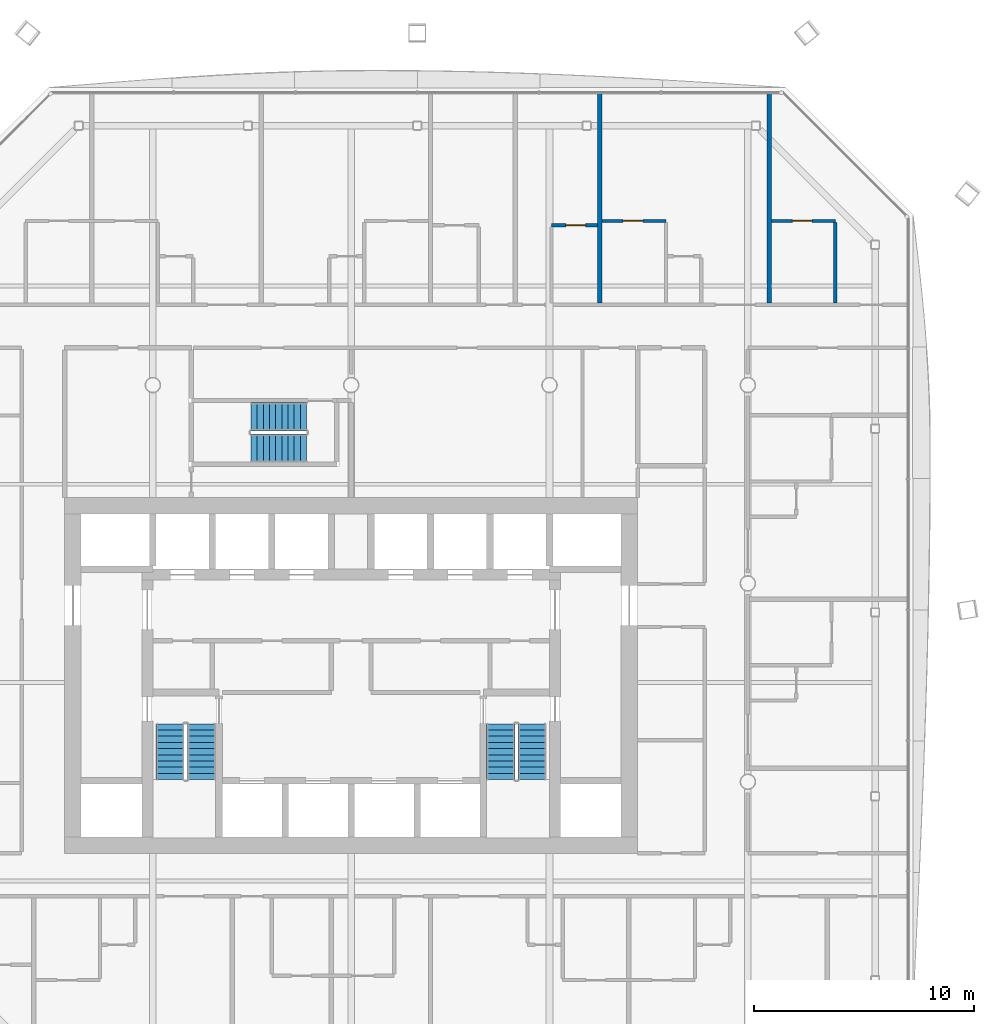
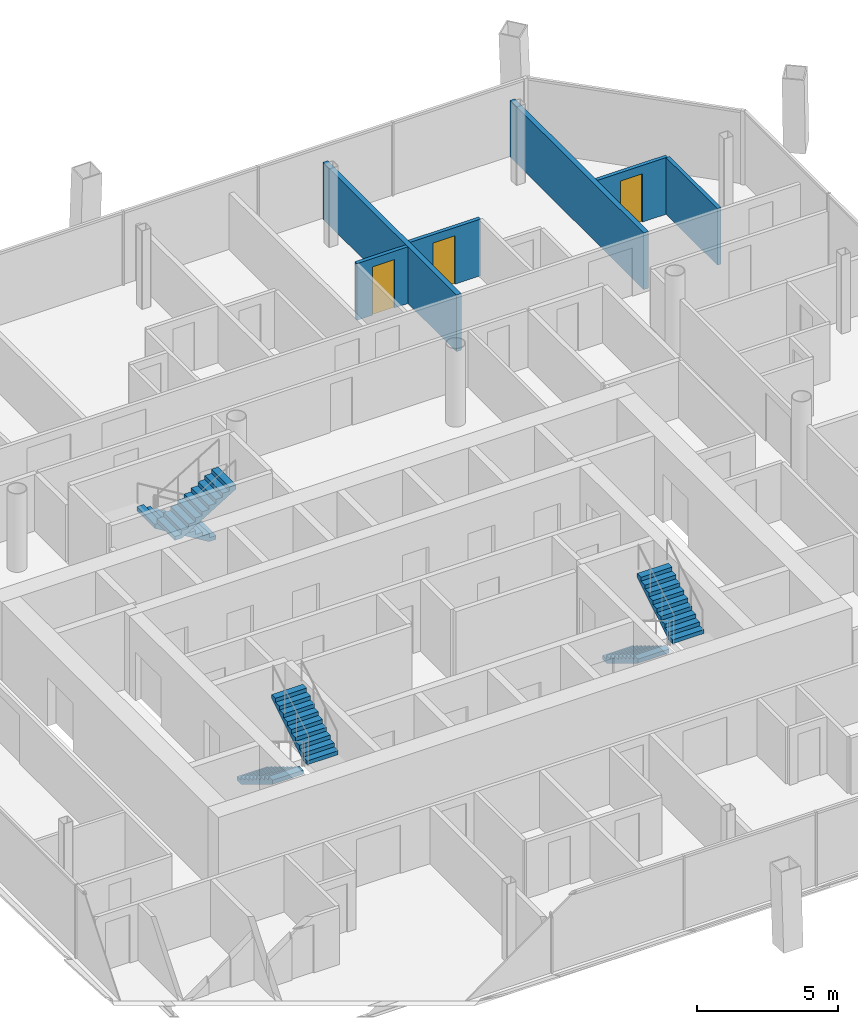
# One storey, part 17 of 21: 6 stair flights, 6 walls, 3 doors, 3 openings, 3 elements without a shape of their own.
"""IFC4 building model written with IfcOpenShell, lengths in metres."""

from ifc_helpers import new_model, si_unit, direction, frame, frame_2d, origin, place, context, subcontext, project, spatial, polyline, rectangle, outline, extrude, material, layer, layer_set, type_object, element, fill, aggregate, save


model = new_model("IFC4")

# Units and contexts
model_context = context("Model", 3, precision=1e-05, world=origin(), true_north=direction((0.0, 1.0)))
body_context = subcontext(model_context, "Body", "Model", "MODEL_VIEW")
ifc_project = project(units=[si_unit("LENGTHUNIT", "METRE"), si_unit("AREAUNIT", "SQUARE_METRE"), si_unit("VOLUMEUNIT", "CUBIC_METRE"), si_unit("PLANEANGLEUNIT", "RADIAN"), si_unit("MASSUNIT", "GRAM", prefix="KILO")], contexts=[model_context])

# Site, building, storey
site_placement = place(None, origin())
site = spatial("IfcSite", under=ifc_project, at=site_placement, CompositionType="ELEMENT")
building_placement = place(site_placement, origin())
building = spatial("IfcBuilding", under=site, at=building_placement, Name="Tskaro Facet Tower", CompositionType="ELEMENT")
storey_placement = place(building_placement, frame((0.0, 0.0, 148.699951171875)))
storey = spatial("IfcBuildingStorey", under=building, at=storey_placement, Name="L36", CompositionType="ELEMENT", Elevation=148.699951171875)

# Wall, opening, door
ifc_material_1 = material(Name="Gypsum board on steel studs", Category="steel")
ifc_layer_1 = layer(ifc_material_1, 0.14990234375, Name="Gypsum board on steel studs")
ifc_layer_set_1 = layer_set([ifc_layer_1], Name="Gypsum board on steel studs")
wall_type_1 = type_object("IfcWallType", Name="PART-CORR", PredefinedType="PARTITIONING", material=ifc_layer_set_1)
wall_1_placement = place(storey_placement, frame((11.18408203125, 16.25, 0.0), z_axis=(0.0, 0.0, 1.0), x_axis=(-1.0, 0.0, 0.0)))
wall_1 = element("IfcWall", 1, at=wall_1_placement, inside=storey, type_object=wall_type_1, Name="Corridor wall W049", PredefinedType="PARTITIONING", context=body_context, shape_type="SweptSolid", body=[
    extrude(rectangle(XDim=2.090087890625, YDim=0.14990234375, at=frame_2d((1.044921875, 0.0))), origin(), (0.0, 0.0, 1.0), 2.4599609375),
])
opening_1_placement = place(wall_1_placement, frame((0.544921875, 0.0, 0.0)))
opening_1 = element("IfcOpeningElement", 2, at=opening_1_placement, cuts=wall_1, Name="Opening T10-D60", PredefinedType="OPENING", context=body_context, shape_type="SweptSolid", body=[
    extrude(rectangle(XDim=0.89990234375, YDim=2.10009765625, at=frame_2d((0.449951171875, 1.050048828125))), frame((0.0, 0.0849609375, 0.0), z_axis=(0.0, -1.0, 0.0), x_axis=(1.0, 0.0, 0.0)), (0.0, 0.0, 1.0), 0.169921875),
])
ifc_material_2 = material(Name="Timber", Category="wood")
door_type = type_object("IfcDoorType", Name="D-ROOM", OperationType="NOTDEFINED", PredefinedType="DOOR", material=ifc_material_2)
door_1_placement = place(opening_1_placement, origin())
door_1 = element("IfcDoor", 3, at=door_1_placement, inside=storey, type_object=door_type, Name="Door T10-D60", OperationType="SINGLE_SWING_RIGHT", OverallHeight=2.10009765625, OverallWidth=0.89990234375, PredefinedType="DOOR", context=body_context, shape_type="SweptSolid", body=[
    extrude(rectangle(XDim=0.89990234375, YDim=2.10009765625, at=frame_2d((0.449951171875, 1.050048828125))), frame((0.0, 0.02490234375, 0.0), z_axis=(0.0, -1.0, 0.0), x_axis=(1.0, 0.0, 0.0)), (0.0, 0.0, 1.0), 0.050048828125),
])
fill(opening_1, door_1)

wall_2_placement = place(storey_placement, frame((14.283935546875, 16.449951171875, 0.0), z_axis=(0.0, 0.0, 1.0), x_axis=(-1.0, 0.0, 0.0)))
wall_2 = element("IfcWall", 4, at=wall_2_placement, inside=storey, type_object=wall_type_1, Name="Corridor wall W052", PredefinedType="PARTITIONING", context=body_context, shape_type="SweptSolid", body=[
    extrude(rectangle(XDim=2.89990234375, YDim=0.14990234375, at=frame_2d((1.449951171875, 0.0))), origin(), (0.0, 0.0, 1.0), 2.4599609375),
])
opening_2_placement = place(wall_2_placement, frame((1.050048828125, 0.0, 0.0)))
opening_2 = element("IfcOpeningElement", 5, at=opening_2_placement, cuts=wall_2, Name="Opening T10-D64", PredefinedType="OPENING", context=body_context, shape_type="SweptSolid", body=[
    extrude(rectangle(XDim=0.89990234375, YDim=2.10009765625, at=frame_2d((0.449951171875, 1.050048828125))), frame((0.0, 0.0849609375, 0.0), z_axis=(0.0, -1.0, 0.0), x_axis=(1.0, 0.0, 0.0)), (0.0, 0.0, 1.0), 0.169921875),
])
door_2_placement = place(opening_2_placement, origin())
door_2 = element("IfcDoor", 6, at=door_2_placement, inside=storey, type_object=door_type, Name="Door T10-D64", OperationType="SINGLE_SWING_RIGHT", OverallHeight=2.10009765625, OverallWidth=0.89990234375, PredefinedType="DOOR", context=body_context, shape_type="SweptSolid", body=[
    extrude(rectangle(XDim=0.89990234375, YDim=2.10009765625, at=frame_2d((0.449951171875, 1.050048828125))), frame((0.0, 0.02490234375, 0.0), z_axis=(0.0, -1.0, 0.0), x_axis=(1.0, 0.0, 0.0)), (0.0, 0.0, 1.0), 0.050048828125),
])
fill(opening_2, door_2)

wall_3_placement = place(storey_placement, frame((21.968017578125, 16.449951171875, 0.0), z_axis=(0.0, 0.0, 1.0), x_axis=(-1.0, 0.0, 0.0)))
wall_3 = element("IfcWall", 7, at=wall_3_placement, inside=storey, type_object=wall_type_1, Name="Corridor wall W053", PredefinedType="PARTITIONING", context=body_context, shape_type="SweptSolid", body=[
    extrude(rectangle(XDim=2.89990234375, YDim=0.14990234375, at=frame_2d((1.449951171875, 0.0))), origin(), (0.0, 0.0, 1.0), 2.4599609375),
])
opening_3_placement = place(wall_3_placement, frame((1.050048828125, 0.0, 0.0)))
opening_3 = element("IfcOpeningElement", 8, at=opening_3_placement, cuts=wall_3, Name="Opening T10-D65", PredefinedType="OPENING", context=body_context, shape_type="SweptSolid", body=[
    extrude(rectangle(XDim=0.89990234375, YDim=2.10009765625, at=frame_2d((0.449951171875, 1.050048828125))), frame((0.0, 0.0849609375, 0.0), z_axis=(0.0, -1.0, 0.0), x_axis=(1.0, 0.0, 0.0)), (0.0, 0.0, 1.0), 0.169921875),
])
door_3_placement = place(opening_3_placement, origin())
door_3 = element("IfcDoor", 9, at=door_3_placement, inside=storey, type_object=door_type, Name="Door T10-D65", OperationType="SINGLE_SWING_RIGHT", OverallHeight=2.10009765625, OverallWidth=0.89990234375, PredefinedType="DOOR", context=body_context, shape_type="SweptSolid", body=[
    extrude(rectangle(XDim=0.89990234375, YDim=2.10009765625, at=frame_2d((0.449951171875, 1.050048828125))), frame((0.0, 0.02490234375, 0.0), z_axis=(0.0, -1.0, 0.0), x_axis=(1.0, 0.0, 0.0)), (0.0, 0.0, 1.0), 0.050048828125),
])
fill(opening_3, door_3)

# Walls
wall_4_placement = place(storey_placement, frame((21.968017578125, 12.72509765625, 0.0), z_axis=(0.0, 0.0, 1.0), x_axis=(0.0, 1.0, 0.0)))
element("IfcWall", 10, at=wall_4_placement, inside=storey, type_object=wall_type_1, Name="Corridor wall W123", PredefinedType="PARTITIONING", context=body_context, shape_type="SweptSolid", body=[
    extrude(rectangle(XDim=3.64990234375, YDim=0.14990234375, at=frame_2d((1.824951171875, 0.0))), origin(), (0.0, 0.0, 1.0), 2.4599609375),
])
ifc_layer_2 = layer(ifc_material_1, 0.199951171875, Name="Gypsum board on steel studs")
ifc_layer_set_2 = layer_set([ifc_layer_2], Name="Gypsum board on steel studs")
wall_type_2 = type_object("IfcWallType", Name="PART-DEMISING", PredefinedType="PARTITIONING", material=ifc_layer_set_2)
for number, where, z_axis, x_axis, name in (
    (11, (11.283935546875, 12.72509765625, 0.0), (0.0, 0.0, 1.0), (0.0, 1.0, 0.0), "Guest room wall W102"),
    (12, (18.968017578125, 12.72509765625, 0.0), (0.0, 0.0, 1.0), (0.0, 1.0, 0.0), "Guest room wall W117"),
):
    element("IfcWall", number, at=place(storey_placement, frame(where, z_axis=z_axis, x_axis=x_axis)), inside=storey, type_object=wall_type_2, Name=name, PredefinedType="PARTITIONING", context=body_context, shape_type="SweptSolid", body=[
        extrude(rectangle(XDim=9.496826171875, YDim=0.199951171875, at=frame_2d((4.74853515625, 0.0))), origin(), (0.0, 0.0, 1.0), 2.4599609375),
    ])

# Stair, stair flights
ifc_material_3 = material(Name="Concrete C40/50", Category="concrete")
stair_type = type_object("IfcStairType", Name="ST-TWR", PredefinedType="HALF_TURN_STAIR", material=ifc_material_3)
stair_1_placement = place(storey_placement, origin())
stair_1 = element("IfcStair", 13, at=stair_1_placement, inside=storey, type_object=stair_type, Name="L36 Exit stair 1", PredefinedType="HALF_TURN_STAIR")
stair_flight_type = type_object("IfcStairFlightType", Name="SFL-RC", PredefinedType="STRAIGHT", material=ifc_material_3)
stair_flight_1_placement = place(storey_placement, frame((-8.21240234375, -6.375, 0.0), z_axis=(0.0, 0.0, 1.0), x_axis=(0.0, -1.0, 0.0)))
stair_flight_1 = element("IfcStairFlight", 14, at=stair_flight_1_placement, type_object=stair_flight_type, Name="ST-1 flight 1", NumberOfRisers=10, NumberOfTreads=9, PredefinedType="STRAIGHT", RiserHeight=0.17, TreadLength=0.28, context=body_context, shape_type="SweptSolid", body=[
    extrude(outline(polyline([(0.0, 0.0), (0.0, 0.169921875), (0.280029296875, 0.169921875), (0.280029296875, 0.340087890625), (0.56005859375, 0.340087890625), (0.56005859375, 0.510009765625), (0.840087890625, 0.510009765625), (0.840087890625, 0.679931640625), (1.1201171875, 0.679931640625), (1.1201171875, 0.85009765625), (1.39990234375, 0.85009765625), (1.39990234375, 1.02001953125), (1.679931640625, 1.02001953125), (1.679931640625, 1.18994140625), (1.9599609375, 1.18994140625), (1.9599609375, 1.360107421875), (2.239990234375, 1.360107421875), (2.239990234375, 1.530029296875), (2.52001953125, 1.530029296875), (2.52001953125, 1.699951171875), (2.52001953125, 1.354736328125), (0.288818359375, 0.0), (0.0, 0.0)])), frame((0.0, 0.637451171875, 0.0), z_axis=(0.0, -1.0, 0.0), x_axis=(1.0, 0.0, 0.0)), (0.0, 0.0, 1.0), 1.27490234375),
])
stair_flight_2_placement = place(storey_placement, frame((-6.78759765625, -8.89501953125, 1.699951171875), z_axis=(0.0, 0.0, 1.0), x_axis=(0.0, 1.0, 0.0)))
stair_flight_2 = element("IfcStairFlight", 15, at=stair_flight_2_placement, type_object=stair_flight_type, Name="ST-1 flight 2", NumberOfRisers=10, NumberOfTreads=9, PredefinedType="STRAIGHT", RiserHeight=0.17, TreadLength=0.28, context=body_context, shape_type="SweptSolid", body=[
    extrude(outline(polyline([(0.0, 0.0), (0.0, 0.169921875), (0.280029296875, 0.169921875), (0.280029296875, 0.340087890625), (0.56005859375, 0.340087890625), (0.56005859375, 0.510009765625), (0.840087890625, 0.510009765625), (0.840087890625, 0.679931640625), (1.1201171875, 0.679931640625), (1.1201171875, 0.85009765625), (1.39990234375, 0.85009765625), (1.39990234375, 1.02001953125), (1.679931640625, 1.02001953125), (1.679931640625, 1.18994140625), (1.9599609375, 1.18994140625), (1.9599609375, 1.360107421875), (2.239990234375, 1.360107421875), (2.239990234375, 1.530029296875), (2.52001953125, 1.530029296875), (2.52001953125, 1.699951171875), (2.52001953125, 1.354736328125), (0.288818359375, 0.0), (0.0, 0.0)])), frame((0.0, 0.637451171875, 0.0), z_axis=(0.0, -1.0, 0.0), x_axis=(1.0, 0.0, 0.0)), (0.0, 0.0, 1.0), 1.27490234375),
])
aggregate(stair_1, [stair_flight_1, stair_flight_2])

stair_2_placement = place(storey_placement, origin())
stair_2 = element("IfcStair", 16, at=stair_2_placement, inside=storey, type_object=stair_type, Name="L36 Exit stair 2", PredefinedType="HALF_TURN_STAIR")
stair_flight_3_placement = place(storey_placement, frame((6.78759765625, -6.375, 0.0), z_axis=(0.0, 0.0, 1.0), x_axis=(0.0, -1.0, 0.0)))
stair_flight_3 = element("IfcStairFlight", 17, at=stair_flight_3_placement, type_object=stair_flight_type, Name="ST-2 flight 1", NumberOfRisers=10, NumberOfTreads=9, PredefinedType="STRAIGHT", RiserHeight=0.17, TreadLength=0.28, context=body_context, shape_type="SweptSolid", body=[
    extrude(outline(polyline([(0.0, 0.0), (0.0, 0.169921875), (0.280029296875, 0.169921875), (0.280029296875, 0.340087890625), (0.56005859375, 0.340087890625), (0.56005859375, 0.510009765625), (0.840087890625, 0.510009765625), (0.840087890625, 0.679931640625), (1.1201171875, 0.679931640625), (1.1201171875, 0.85009765625), (1.39990234375, 0.85009765625), (1.39990234375, 1.02001953125), (1.679931640625, 1.02001953125), (1.679931640625, 1.18994140625), (1.9599609375, 1.18994140625), (1.9599609375, 1.360107421875), (2.239990234375, 1.360107421875), (2.239990234375, 1.530029296875), (2.52001953125, 1.530029296875), (2.52001953125, 1.699951171875), (2.52001953125, 1.354736328125), (0.288818359375, 0.0), (0.0, 0.0)])), frame((0.0, 0.637451171875, 0.0), z_axis=(0.0, -1.0, 0.0), x_axis=(1.0, 0.0, 0.0)), (0.0, 0.0, 1.0), 1.27490234375),
])
stair_flight_4_placement = place(storey_placement, frame((8.21240234375, -8.89501953125, 1.699951171875), z_axis=(0.0, 0.0, 1.0), x_axis=(0.0, 1.0, 0.0)))
stair_flight_4 = element("IfcStairFlight", 18, at=stair_flight_4_placement, type_object=stair_flight_type, Name="ST-2 flight 2", NumberOfRisers=10, NumberOfTreads=9, PredefinedType="STRAIGHT", RiserHeight=0.17, TreadLength=0.28, context=body_context, shape_type="SweptSolid", body=[
    extrude(outline(polyline([(0.0, 0.0), (0.0, 0.169921875), (0.280029296875, 0.169921875), (0.280029296875, 0.340087890625), (0.56005859375, 0.340087890625), (0.56005859375, 0.510009765625), (0.840087890625, 0.510009765625), (0.840087890625, 0.679931640625), (1.1201171875, 0.679931640625), (1.1201171875, 0.85009765625), (1.39990234375, 0.85009765625), (1.39990234375, 1.02001953125), (1.679931640625, 1.02001953125), (1.679931640625, 1.18994140625), (1.9599609375, 1.18994140625), (1.9599609375, 1.360107421875), (2.239990234375, 1.360107421875), (2.239990234375, 1.530029296875), (2.52001953125, 1.530029296875), (2.52001953125, 1.699951171875), (2.52001953125, 1.354736328125), (0.288818359375, 0.0), (0.0, 0.0)])), frame((0.0, 0.637451171875, 0.0), z_axis=(0.0, -1.0, 0.0), x_axis=(1.0, 0.0, 0.0)), (0.0, 0.0, 1.0), 1.27490234375),
])
aggregate(stair_2, [stair_flight_3, stair_flight_4])

stair_3_placement = place(storey_placement, origin())
stair_3 = element("IfcStair", 19, at=stair_3_placement, inside=storey, type_object=stair_type, Name="L36 Exit stair 3", PredefinedType="HALF_TURN_STAIR")
stair_flight_5_placement = place(storey_placement, frame((-2.02490234375, 7.5625, 0.0), z_axis=(0.0, 0.0, 1.0), x_axis=(-1.0, 0.0, 0.0)))
stair_flight_5 = element("IfcStairFlight", 20, at=stair_flight_5_placement, type_object=stair_flight_type, Name="ST-3 flight 1", NumberOfRisers=10, NumberOfTreads=9, PredefinedType="STRAIGHT", RiserHeight=0.17, TreadLength=0.28, context=body_context, shape_type="SweptSolid", body=[
    extrude(outline(polyline([(0.0, 0.0), (0.0, 0.169921875), (0.280029296875, 0.169921875), (0.280029296875, 0.340087890625), (0.56005859375, 0.340087890625), (0.56005859375, 0.510009765625), (0.840087890625, 0.510009765625), (0.840087890625, 0.679931640625), (1.1201171875, 0.679931640625), (1.1201171875, 0.85009765625), (1.39990234375, 0.85009765625), (1.39990234375, 1.02001953125), (1.679931640625, 1.02001953125), (1.679931640625, 1.18994140625), (1.9599609375, 1.18994140625), (1.9599609375, 1.360107421875), (2.239990234375, 1.360107421875), (2.239990234375, 1.530029296875), (2.52001953125, 1.530029296875), (2.52001953125, 1.699951171875), (2.52001953125, 1.354736328125), (0.288818359375, 0.0), (0.0, 0.0)])), frame((0.0, 0.637451171875, 0.0), z_axis=(0.0, -1.0, 0.0), x_axis=(1.0, 0.0, 0.0)), (0.0, 0.0, 1.0), 1.27490234375),
])
stair_flight_6_placement = place(storey_placement, frame((-4.544921875, 6.137451171875, 1.699951171875), z_axis=(0.0, 0.0, 1.0), x_axis=(1.0, 0.0, 0.0)))
stair_flight_6 = element("IfcStairFlight", 21, at=stair_flight_6_placement, type_object=stair_flight_type, Name="ST-3 flight 2", NumberOfRisers=10, NumberOfTreads=9, PredefinedType="STRAIGHT", RiserHeight=0.17, TreadLength=0.28, context=body_context, shape_type="SweptSolid", body=[
    extrude(outline(polyline([(0.0, 0.0), (0.0, 0.169921875), (0.280029296875, 0.169921875), (0.280029296875, 0.340087890625), (0.56005859375, 0.340087890625), (0.56005859375, 0.510009765625), (0.840087890625, 0.510009765625), (0.840087890625, 0.679931640625), (1.1201171875, 0.679931640625), (1.1201171875, 0.85009765625), (1.39990234375, 0.85009765625), (1.39990234375, 1.02001953125), (1.679931640625, 1.02001953125), (1.679931640625, 1.18994140625), (1.9599609375, 1.18994140625), (1.9599609375, 1.360107421875), (2.239990234375, 1.360107421875), (2.239990234375, 1.530029296875), (2.52001953125, 1.530029296875), (2.52001953125, 1.699951171875), (2.52001953125, 1.354736328125), (0.288818359375, 0.0), (0.0, 0.0)])), frame((0.0, 0.637451171875, 0.0), z_axis=(0.0, -1.0, 0.0), x_axis=(1.0, 0.0, 0.0)), (0.0, 0.0, 1.0), 1.27490234375),
])
aggregate(stair_3, [stair_flight_5, stair_flight_6])

save(model, "model.ifc")
